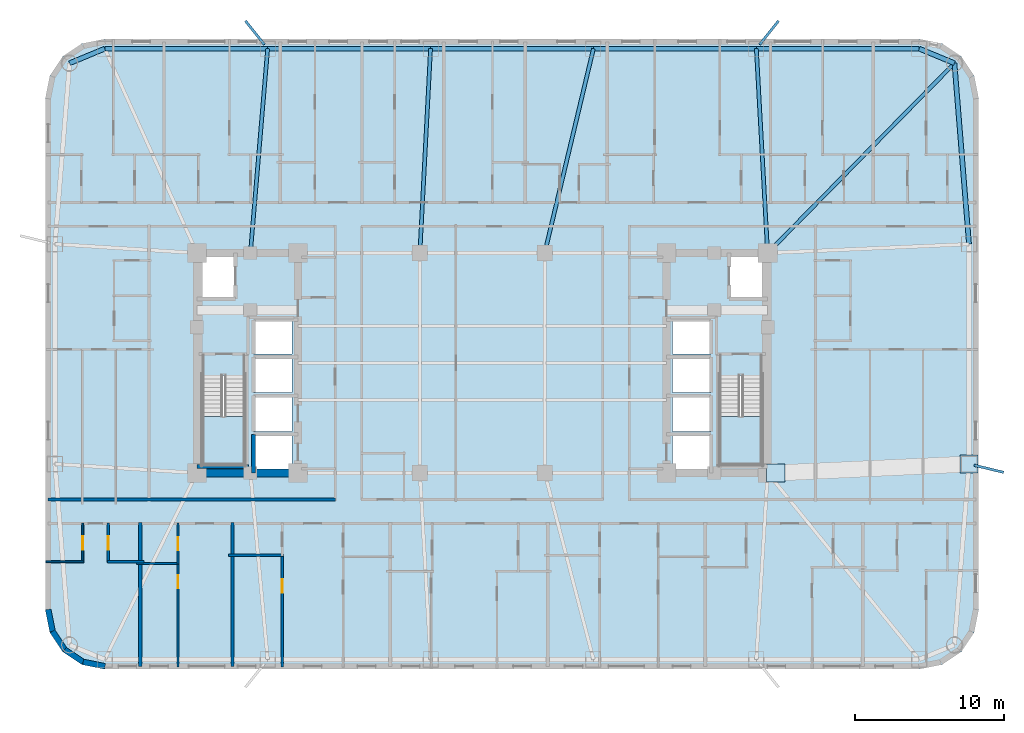
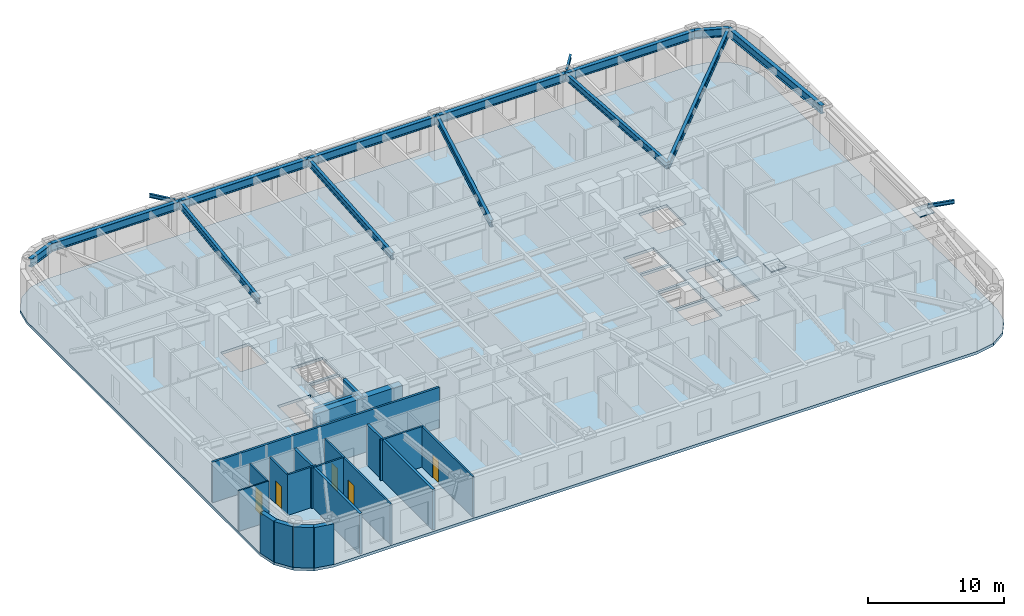
# One storey, part 2 of 12: 19 walls, 16 beams, 5 doors, 3 slabs, 2 plates, 5 openings, 2 elements without a shape of their own.
"""IFC4 building model written with IfcOpenShell, lengths in metres."""

from ifc_helpers import new_model, si_unit, direction, frame, frame_2d, origin, origin_2d, place, context, subcontext, project, spatial, polyline, rectangle, i_section, outline, extrude, material, layer, layer_set, material_profile, profile_set, type_object, element, fill, aggregate, save


model = new_model("IFC4")

# Units and contexts
model_context = context("Model", 3, precision=1e-05, world=origin(), true_north=direction((0.0, 1.0)))
body_context = subcontext(model_context, "Body", "Model", "MODEL_VIEW")
ifc_project = project(units=[si_unit("LENGTHUNIT", "METRE"), si_unit("AREAUNIT", "SQUARE_METRE"), si_unit("VOLUMEUNIT", "CUBIC_METRE"), si_unit("PLANEANGLEUNIT", "RADIAN"), si_unit("MASSUNIT", "GRAM", prefix="KILO")], contexts=[model_context])

# Site, building, storey
site_placement = place(None, origin())
site = spatial("IfcSite", under=ifc_project, at=site_placement, CompositionType="ELEMENT")
building_placement = place(site_placement, origin())
building = spatial("IfcBuilding", under=site, at=building_placement, Name="Voryun Gate Residences", CompositionType="ELEMENT")
storey_placement = place(building_placement, frame((0.0, 0.0, 109.199951171875)))
storey = spatial("IfcBuildingStorey", under=building, at=storey_placement, Name="L26", CompositionType="ELEMENT", Elevation=109.199951171875)

# Beams
ifc_material_1 = material(Name="Steel SM355", Category="steel")
ifc_material_profile_1 = material_profile(ifc_material_1, i_section(OverallWidth=0.169921875, OverallDepth=0.340087890625, WebThickness=0.008056640625, FlangeThickness=0.013916015625, FilletRadius=0.01806640625, at=origin_2d()), Name="H-340x170x8x14")
ifc_profile_set_1 = profile_set([ifc_material_profile_1], Name="Steel SM355")
beam_type_1 = type_object("IfcBeamType", Name="BM_BALC_EDGE", PredefinedType="JOIST", material=ifc_profile_set_1)
for number, where, z_axis, x_axis, name in (
    (1, (33.09033203125, -6.8798828125, 3.47998046875), (0.972261764364, -0.233895407302, 0.0), (0.233895407302, 0.972261764364, 0.0), "BM-L26-BALBRK-E1"),
    (2, (18.65869140625, 21.42333984375, 3.47998046875), (0.624651475366, 0.7809036652, 0.0), (-0.7809036652, 0.624651475366, 0.0), "BM-L26-BALBRK-N2"),
    (3, (-14.65869140625, 21.42333984375, 3.47998046875), (-0.624651475366, 0.7809036652, 0.0), (-0.7809036652, -0.624651475366, 0.0), "BM-L26-BALBRK-N5"),
):
    element("IfcBeam", number, at=place(storey_placement, frame(where, z_axis=z_axis, x_axis=x_axis)), inside=storey, type_object=beam_type_1, Name=name, PredefinedType="JOIST", context=body_context, shape_type="SweptSolid", body=[
        extrude(i_section(OverallWidth=0.169921875, OverallDepth=0.340087890625, WebThickness=0.008056640625, FlangeThickness=0.013916015625, FilletRadius=0.01806640625, at=origin_2d()), origin(), (0.0, 0.0, 1.0), 2.050048828125),
    ])
ifc_material_2 = material(Name="Steel SM355", Category="steel")
ifc_material_profile_2 = material_profile(ifc_material_2, i_section(OverallWidth=0.320068359375, OverallDepth=0.75, WebThickness=0.01611328125, FlangeThickness=0.028076171875, FilletRadius=0.01806640625, at=origin_2d()), Name="H-750x320x16x28")
ifc_profile_set_2 = profile_set([ifc_material_profile_2], Name="Steel SM355")
beam_type_2 = type_object("IfcBeamType", Name="BM_EXO_SPANDREL_L", PredefinedType="SPANDREL", material=ifc_profile_set_2)
beam_1_placement = place(storey_placement, frame((32.75, 7.998046875, 3.275146484375), z_axis=(-0.080359517973, 0.996765944378, 0.0), x_axis=(-0.996765944378, -0.080359517973, 0.0)))
element("IfcBeam", 4, at=beam_1_placement, inside=storey, type_object=beam_type_2, Name="BM-L26-SPAND-09", PredefinedType="SPANDREL", context=body_context, shape_type="SweptSolid", body=[
    extrude(i_section(OverallWidth=0.320068359375, OverallDepth=0.75, WebThickness=0.01611328125, FlangeThickness=0.028076171875, FilletRadius=0.01806640625, at=origin_2d()), origin(), (0.0, 0.0, 1.0), 12.210205078125),
])
beam_2_placement = place(storey_placement, frame((31.768798828125, 20.168701171875, 3.275146484375), z_axis=(-0.923883376753, 0.382674151414, 0.0), x_axis=(-0.382674151414, -0.923883376753, 0.0)))
element("IfcBeam", 5, at=beam_2_placement, inside=storey, type_object=beam_type_2, Name="BM-L26-SPAND-10", PredefinedType="SPANDREL", context=body_context, shape_type="SweptSolid", body=[
    extrude(i_section(OverallWidth=0.320068359375, OverallDepth=0.75, WebThickness=0.01611328125, FlangeThickness=0.028076171875, FilletRadius=0.01806640625, at=origin_2d()), origin(), (0.0, 0.0, 1.0), 2.56396484375),
])
for number, where, z_axis, x_axis, name in (
    (6, (29.39990234375, 21.14990234375, 3.275146484375), (-1.0, 0.0, 0.0), (0.0, -1.0, 0.0), "BM-L26-SPAND-11"),
    (7, (18.43994140625, 21.14990234375, 3.275146484375), (-1.0, 0.0, 0.0), (0.0, -1.0, 0.0), "BM-L26-SPAND-12"),
    (8, (7.47998046875, 21.14990234375, 3.275146484375), (-1.0, 0.0, 0.0), (0.0, -1.0, 0.0), "BM-L26-SPAND-13"),
    (9, (-3.47998046875, 21.14990234375, 3.275146484375), (-1.0, 0.0, 0.0), (0.0, -1.0, 0.0), "BM-L26-SPAND-14"),
    (10, (-14.43994140625, 21.14990234375, 3.275146484375), (-1.0, 0.0, 0.0), (0.0, -1.0, 0.0), "BM-L26-SPAND-15"),
):
    element("IfcBeam", number, at=place(storey_placement, frame(where, z_axis=z_axis, x_axis=x_axis)), inside=storey, type_object=beam_type_2, Name=name, PredefinedType="SPANDREL", context=body_context, shape_type="SweptSolid", body=[
        extrude(i_section(OverallWidth=0.320068359375, OverallDepth=0.75, WebThickness=0.01611328125, FlangeThickness=0.028076171875, FilletRadius=0.01806640625, at=origin_2d()), origin(), (0.0, 0.0, 1.0), 10.9599609375),
    ])
beam_3_placement = place(storey_placement, frame((-25.39990234375, 21.14990234375, 3.275146484375), z_axis=(-0.923883376753, -0.382674151414, 0.0), x_axis=(0.382674151414, -0.923883376753, 0.0)))
element("IfcBeam", 11, at=beam_3_placement, inside=storey, type_object=beam_type_2, Name="BM-L26-SPAND-16", PredefinedType="SPANDREL", context=body_context, shape_type="SweptSolid", body=[
    extrude(i_section(OverallWidth=0.320068359375, OverallDepth=0.75, WebThickness=0.01611328125, FlangeThickness=0.028076171875, FilletRadius=0.01806640625, at=origin_2d()), origin(), (0.0, 0.0, 1.0), 2.56396484375),
])
ifc_material_3 = material(Name="Steel SM355", Category="steel")
ifc_material_profile_3 = material_profile(ifc_material_3, i_section(OverallWidth=0.25, OverallDepth=0.60009765625, WebThickness=0.011962890625, FlangeThickness=0.02197265625, FilletRadius=0.01806640625, at=origin_2d()), Name="H-600x250x12x22")
ifc_profile_set_3 = profile_set([ifc_material_profile_3], Name="Steel SM355")
beam_type_3 = type_object("IfcBeamType", Name="BM_GIRD_600", PredefinedType="USERDEFINED", material=ifc_profile_set_3)
beam_4_placement = place(storey_placement, frame((19.199951171875, 7.39990234375, 3.35009765625), z_axis=(0.701504829324, 0.712664699866, 0.0), x_axis=(-0.712664699866, 0.701504829324, 0.0)))
element("IfcBeam", 12, at=beam_4_placement, inside=storey, type_object=beam_type_3, Name="BM-L26-RAD-CNE", ObjectType="GIRDER", PredefinedType="USERDEFINED", context=body_context, shape_type="SweptSolid", body=[
    extrude(i_section(OverallWidth=0.25, OverallDepth=0.60009765625, WebThickness=0.011962890625, FlangeThickness=0.02197265625, FilletRadius=0.01806640625, at=origin_2d()), origin(), (0.0, 0.0, 1.0), 17.9169921875),
])
beam_5_placement = place(storey_placement, frame((19.199951171875, 7.39990234375, 3.35009765625), z_axis=(-0.055189196078, 0.9984759149, 0.0), x_axis=(-0.9984759149, -0.055189196078, 0.0)))
element("IfcBeam", 13, at=beam_5_placement, inside=storey, type_object=beam_type_3, Name="BM-L26-RAD-N2", ObjectType="GIRDER", PredefinedType="USERDEFINED", context=body_context, shape_type="SweptSolid", body=[
    extrude(i_section(OverallWidth=0.25, OverallDepth=0.60009765625, WebThickness=0.011962890625, FlangeThickness=0.02197265625, FilletRadius=0.01806640625, at=origin_2d()), origin(), (0.0, 0.0, 1.0), 13.77099609375),
])
beam_6_placement = place(storey_placement, frame((4.199951171875, 7.39990234375, 3.35009765625), z_axis=(0.232036902087, 0.972706983665, 0.0), x_axis=(-0.972706983665, 0.232036902087, 0.0)))
element("IfcBeam", 14, at=beam_6_placement, inside=storey, type_object=beam_type_3, Name="BM-L26-RAD-N3", ObjectType="GIRDER", PredefinedType="USERDEFINED", context=body_context, shape_type="SweptSolid", body=[
    extrude(i_section(OverallWidth=0.25, OverallDepth=0.60009765625, WebThickness=0.011962890625, FlangeThickness=0.02197265625, FilletRadius=0.01806640625, at=origin_2d()), origin(), (0.0, 0.0, 1.0), 14.1357421875),
])
beam_7_placement = place(storey_placement, frame((-4.199951171875, 7.39990234375, 3.35009765625), z_axis=(0.052289872463, 0.998631948837, 0.0), x_axis=(-0.998631948837, 0.052289872463, 0.0)))
element("IfcBeam", 15, at=beam_7_placement, inside=storey, type_object=beam_type_3, Name="BM-L26-RAD-N4", ObjectType="GIRDER", PredefinedType="USERDEFINED", context=body_context, shape_type="SweptSolid", body=[
    extrude(i_section(OverallWidth=0.25, OverallDepth=0.60009765625, WebThickness=0.011962890625, FlangeThickness=0.02197265625, FilletRadius=0.01806640625, at=origin_2d()), origin(), (0.0, 0.0, 1.0), 13.768798828125),
])
beam_8_placement = place(storey_placement, frame((-15.60009765625, 7.39990234375, 3.35009765625), z_axis=(0.084076255415, 0.996459323442, 0.0), x_axis=(-0.996459323442, 0.084076255415, 0.0)))
element("IfcBeam", 16, at=beam_8_placement, inside=storey, type_object=beam_type_3, Name="BM-L26-RAD-N5", ObjectType="GIRDER", PredefinedType="USERDEFINED", context=body_context, shape_type="SweptSolid", body=[
    extrude(i_section(OverallWidth=0.25, OverallDepth=0.60009765625, WebThickness=0.011962890625, FlangeThickness=0.02197265625, FilletRadius=0.01806640625, at=origin_2d()), origin(), (0.0, 0.0, 1.0), 13.798828125),
])

# Plates
ifc_material_4 = material(Name="Steel SM355", Category="steel")
ifc_layer_1 = layer(ifc_material_4, 0.02490234375, Name="PLT_END_CAP_25")
ifc_layer_set_1 = layer_set([ifc_layer_1], Name="Steel SM355")
plate_type = type_object("IfcPlateType", Name="PLT_END_CAP_25", PredefinedType="USERDEFINED", material=ifc_layer_set_1)
for number, where, z_axis, x_axis, name in (
    (17, (19.75, -7.39990234375, 3.06005859375), (0.0, 0.0, 1.0), (1.0, 0.0, 0.0), "L26 Hollow Member End-Cap Plate EC-378"),
    (18, (32.75, -6.798095703125, 3.06005859375), (0.0, 0.0, 1.0), (1.0, 0.0, 0.0), "L26 Hollow Member End-Cap Plate EC-379"),
):
    element("IfcPlate", number, at=place(storey_placement, frame(where, z_axis=z_axis, x_axis=x_axis)), inside=storey, type_object=plate_type, Name=name, ObjectType="BASE_PLATE", PredefinedType="USERDEFINED", context=body_context, shape_type="SweptSolid", body=[
        extrude(rectangle(XDim=1.239990234375, YDim=1.239990234375, at=origin_2d()), origin(), (0.0, 0.0, 1.0), 0.080078125),
    ])

# Slab
ifc_material_5 = material(Name="Concrete C40/50", Category="concrete")
ifc_layer_2 = layer(ifc_material_5, 0.25, Name="SLB_RES_250")
ifc_layer_set_2 = layer_set([ifc_layer_2], Name="Concrete C40/50")
slab_type_1 = type_object("IfcSlabType", Name="SLB_RES_250", PredefinedType="FLOOR", material=ifc_layer_set_2)
slab_1_placement = place(storey_placement, frame((0.0, 0.0, -0.25)))
element("IfcSlab", 19, at=slab_1_placement, inside=storey, type_object=slab_type_1, Name="L26 Structural Floor Slab", PredefinedType="FLOOR", context=body_context, shape_type="SweptSolid", body=[
    extrude(outline(polyline([(-25.39990234375, -20.60009765625), (-26.9306640625, -20.29541015625), (-28.228515625, -19.428466796875), (-29.095458984375, -18.130615234375), (-29.39990234375, -16.60009765625), (-29.39990234375, 17.800048828125), (-29.095458984375, 19.330810546875), (-28.228515625, 20.62841796875), (-26.9306640625, 21.49560546875), (-25.39990234375, 21.800048828125), (29.39990234375, 21.800048828125), (30.9306640625, 21.49560546875), (32.228515625, 20.62841796875), (33.095458984375, 19.330810546875), (33.39990234375, 17.800048828125), (33.39990234375, -16.60009765625), (33.095458984375, -18.130615234375), (32.228515625, -19.428466796875), (30.9306640625, -20.29541015625), (29.39990234375, -20.60009765625), (-25.39990234375, -20.60009765625)]), holes=[polyline([(-12.800048828125, -4.800048828125), (-15.39990234375, -4.800048828125), (-15.39990234375, -7.199951171875), (-12.800048828125, -7.199951171875), (-12.800048828125, -4.800048828125)]), polyline([(-18.824951171875, -6.85009765625), (-15.97509765625, -6.85009765625), (-15.97509765625, -0.840087890625), (-18.824951171875, -0.840087890625), (-18.824951171875, -6.85009765625)]), polyline([(-12.800048828125, -4.60009765625), (-12.800048828125, -2.199951171875), (-15.39990234375, -2.199951171875), (-15.39990234375, -4.60009765625), (-12.800048828125, -4.60009765625)]), polyline([(-12.800048828125, 0.39990234375), (-15.39990234375, 0.39990234375), (-15.39990234375, -2.0), (-12.800048828125, -2.0), (-12.800048828125, 0.39990234375)]), polyline([(-12.800048828125, 0.60009765625), (-12.800048828125, 2.89990234375), (-15.39990234375, 2.89990234375), (-15.39990234375, 0.60009765625), (-12.800048828125, 0.60009765625)]), polyline([(-16.60009765625, 4.300048828125), (-16.60009765625, 7.199951171875), (-19.0, 7.199951171875), (-19.0, 4.300048828125), (-16.60009765625, 4.300048828125)]), polyline([(15.39990234375, -4.800048828125), (12.800048828125, -4.800048828125), (12.800048828125, -7.199951171875), (15.39990234375, -7.199951171875), (15.39990234375, -4.800048828125)]), polyline([(15.97509765625, -6.85009765625), (18.824951171875, -6.85009765625), (18.824951171875, -0.840087890625), (15.97509765625, -0.840087890625), (15.97509765625, -6.85009765625)]), polyline([(15.39990234375, -4.60009765625), (15.39990234375, -2.199951171875), (12.800048828125, -2.199951171875), (12.800048828125, -4.60009765625), (15.39990234375, -4.60009765625)]), polyline([(15.39990234375, 0.39990234375), (12.800048828125, 0.39990234375), (12.800048828125, -2.0), (15.39990234375, -2.0), (15.39990234375, 0.39990234375)]), polyline([(15.39990234375, 0.60009765625), (15.39990234375, 2.89990234375), (12.800048828125, 2.89990234375), (12.800048828125, 0.60009765625), (15.39990234375, 0.60009765625)]), polyline([(19.0, 4.300048828125), (19.0, 7.199951171875), (16.60009765625, 7.199951171875), (16.60009765625, 4.300048828125), (19.0, 4.300048828125)])]), origin(), (0.0, 0.0, 1.0), 0.25),
])

# Stair, slab
ifc_material_6 = material(Name="Concrete C40/50", Category="concrete")
stair_type = type_object("IfcStairType", Name="STR_CORE_DOGLEG_1350", PredefinedType="HALF_TURN_STAIR", material=ifc_material_6)
stair_1_placement = place(storey_placement, origin())
stair_1 = element("IfcStair", 20, at=stair_1_placement, inside=storey, type_object=stair_type, Name="L26 Special Escape Stair ST-W1", PredefinedType="HALF_TURN_STAIR")
ifc_material_7 = material(Name="Concrete C40/50", Category="concrete")
ifc_layer_3 = layer(ifc_material_7, 0.199951171875, Name="SLB_STAIR_LANDING_200")
ifc_layer_set_3 = layer_set([ifc_layer_3], Name="Concrete C40/50")
slab_type_2 = type_object("IfcSlabType", Name="SLB_STAIR_LANDING_200", PredefinedType="LANDING", material=ifc_layer_set_3)
slab_2_placement = place(storey_placement, frame((0.0, 0.0, 1.75)))
slab_2 = element("IfcSlab", 21, at=slab_2_placement, type_object=slab_type_2, Name="ST-W1 landing 1", PredefinedType="LANDING", context=body_context, shape_type="SweptSolid", body=[
    extrude(outline(polyline([(-18.824951171875, -3.60009765625), (-18.824951171875, -6.85009765625), (-15.97509765625, -6.85009765625), (-15.97509765625, -3.60009765625), (-18.824951171875, -3.60009765625)])), origin(), (0.0, 0.0, 1.0), 0.199951171875),
])
aggregate(stair_1, [slab_2])

stair_2_placement = place(storey_placement, origin())
stair_2 = element("IfcStair", 22, at=stair_2_placement, inside=storey, type_object=stair_type, Name="L26 Special Escape Stair ST-E1", PredefinedType="HALF_TURN_STAIR")
slab_3_placement = place(storey_placement, frame((0.0, 0.0, 1.75)))
slab_3 = element("IfcSlab", 23, at=slab_3_placement, type_object=slab_type_2, Name="ST-E1 landing 1", PredefinedType="LANDING", context=body_context, shape_type="SweptSolid", body=[
    extrude(outline(polyline([(15.97509765625, -3.60009765625), (15.97509765625, -6.85009765625), (18.824951171875, -6.85009765625), (18.824951171875, -3.60009765625), (15.97509765625, -3.60009765625)])), origin(), (0.0, 0.0, 1.0), 0.199951171875),
])
aggregate(stair_2, [slab_3])

# Walls
ifc_material_8 = material(Name="Concrete C60/75", Category="concrete")
ifc_layer_4 = layer(ifc_material_8, 0.550048828125, Name="CW_CORE_550")
ifc_layer_set_4 = layer_set([ifc_layer_4], Name="Concrete C60/75")
wall_type_1 = type_object("IfcWallType", Name="CW_CORE_550", PredefinedType="SHEAR", material=ifc_layer_set_4)
wall_1_placement = place(storey_placement, frame((-19.47509765625, -7.39990234375, 0.0), z_axis=(0.0, 0.0, 1.0), x_axis=(1.0, 0.0, 0.0)))
element("IfcWall", 24, at=wall_1_placement, inside=storey, type_object=wall_type_1, Name="L26 Core shear wall CW-L26-WS", PredefinedType="SHEAR", context=body_context, shape_type="SweptSolid", body=[
    extrude(rectangle(XDim=7.35009765625, YDim=0.550048828125, at=frame_2d((3.675048828125, 0.0))), origin(), (0.0, 0.0, 1.0), 3.650146484375),
])
ifc_material_9 = material(Name="Gypsum acoustic fireboard")
ifc_layer_5 = layer(ifc_material_9, 0.179931640625, Name="W_CORR_RATED_180")
ifc_layer_set_5 = layer_set([ifc_layer_5], Name="Gypsum acoustic fireboard")
wall_type_2 = type_object("IfcWallType", Name="W_CORR_RATED_180", PredefinedType="PARTITIONING", material=ifc_layer_set_5)
wall_2_placement = place(storey_placement, frame((-29.2099609375, -9.18994140625, 0.0), z_axis=(0.0, 0.0, 1.0), x_axis=(1.0, 0.0, 0.0)))
element("IfcWall", 25, at=wall_2_placement, inside=storey, type_object=wall_type_2, Name="Partition wall WP-L26-CWING-WS", PredefinedType="PARTITIONING", context=body_context, shape_type="SweptSolid", body=[
    extrude(rectangle(XDim=19.330078125, YDim=0.179931640625, at=frame_2d((9.6650390625, 0.0))), origin(), (0.0, 0.0, 1.0), 3.650146484375),
])
ifc_material_10 = material(Name="Granite masonry", Category="masonry")
ifc_layer_6 = layer(ifc_material_10, 0.3798828125, Name="W_EXT_GRANITE_380")
ifc_layer_set_6 = layer_set([ifc_layer_6], Name="Granite masonry")
wall_type_3 = type_object("IfcWallType", Name="W_EXT_GRANITE_380", PredefinedType="ELEMENTEDWALL", material=ifc_layer_set_6)
wall_3_placement = place(storey_placement, frame((-25.38134765625, -20.409912109375, 0.0), z_axis=(0.0, 0.0, 1.0), x_axis=(-0.980786132421, 0.195086038585, 0.0)))
element("IfcWall", 26, at=wall_3_placement, inside=storey, type_object=wall_type_3, Name="Exterior wall WEXT-L26-02", PredefinedType="ELEMENTEDWALL", context=body_context, shape_type="SweptSolid", body=[
    extrude(rectangle(XDim=1.504150390625, YDim=0.3798828125, at=frame_2d((0.751953125, 0.0))), origin(), (0.0, 0.0, 1.0), 3.650146484375),
])
wall_4_placement = place(storey_placement, frame((-26.856689453125, -20.116455078125, 0.0), z_axis=(0.0, 0.0, 1.0), x_axis=(-0.831468045563, 0.555572577804, 0.0)))
element("IfcWall", 27, at=wall_4_placement, inside=storey, type_object=wall_type_3, Name="Exterior wall WEXT-L26-03", PredefinedType="ELEMENTEDWALL", context=body_context, shape_type="SweptSolid", body=[
    extrude(rectangle(XDim=1.48486328125, YDim=0.3798828125, at=frame_2d((0.742431640625, 0.0))), origin(), (0.0, 0.0, 1.0), 3.650146484375),
])
wall_5_placement = place(storey_placement, frame((-28.09130859375, -19.29150390625, 0.0), z_axis=(0.0, 0.0, 1.0), x_axis=(-0.555610286119, 0.831442848281, 0.0)))
element("IfcWall", 28, at=wall_5_placement, inside=storey, type_object=wall_type_3, Name="Exterior wall WEXT-L26-04", PredefinedType="ELEMENTEDWALL", context=body_context, shape_type="SweptSolid", body=[
    extrude(rectangle(XDim=1.485107421875, YDim=0.3798828125, at=frame_2d((0.74267578125, 0.0))), origin(), (0.0, 0.0, 1.0), 3.650146484375),
])
wall_6_placement = place(storey_placement, frame((-28.91650390625, -18.056640625, 0.0), z_axis=(0.0, 0.0, 1.0), x_axis=(-0.195086038585, 0.980786132421, 0.0)))
element("IfcWall", 29, at=wall_6_placement, inside=storey, type_object=wall_type_3, Name="Exterior wall WEXT-L26-05", PredefinedType="ELEMENTEDWALL", context=body_context, shape_type="SweptSolid", body=[
    extrude(rectangle(XDim=1.504150390625, YDim=0.3798828125, at=frame_2d((0.751953125, 0.0))), origin(), (0.0, 0.0, 1.0), 3.650146484375),
])
ifc_material_11 = material(Name="Concrete C40/50", Category="concrete")
ifc_layer_7 = layer(ifc_material_11, 0.219970703125, Name="W_PARTY_ACOUSTIC_220")
ifc_layer_set_7 = layer_set([ifc_layer_7], Name="Concrete C40/50")
wall_type_4 = type_object("IfcWallType", Name="W_PARTY_ACOUSTIC_220", PredefinedType="PARTITIONING", material=ifc_layer_set_7)
for number, where, z_axis, x_axis, name in (
    (30, (-23.009033203125, -20.409912109375, 0.0), (0.0, 0.0, 1.0), (0.0, 1.0, 0.0), "Partition wall WP-L26-SPTY-1"),
    (31, (-16.800048828125, -20.409912109375, 0.0), (0.0, 0.0, 1.0), (0.0, 1.0, 0.0), "Partition wall WP-L26-SPTY-2"),
):
    element("IfcWall", number, at=place(storey_placement, frame(where, z_axis=z_axis, x_axis=x_axis)), inside=storey, type_object=wall_type_4, Name=name, PredefinedType="PARTITIONING", context=body_context, shape_type="SweptSolid", body=[
        extrude(rectangle(XDim=9.68994140625, YDim=0.219970703125, at=frame_2d((4.844970703125, 0.0))), origin(), (0.0, 0.0, 1.0), 3.650146484375),
    ])
ifc_material_12 = material(Name="Concrete C50/60", Category="concrete")
ifc_layer_8 = layer(ifc_material_12, 0.25, Name="W_SHAFT_RC250")
ifc_layer_set_8 = layer_set([ifc_layer_8], Name="Concrete C50/60")
wall_type_5 = type_object("IfcWallType", Name="W_SHAFT_RC250", PredefinedType="SOLIDWALL", material=ifc_layer_set_8)
wall_7_placement = place(storey_placement, frame((-19.199951171875, -6.965087890625, 0.0), z_axis=(0.0, 0.0, 1.0), x_axis=(1.0, 0.0, 0.0)))
element("IfcWall", 32, at=wall_7_placement, inside=storey, type_object=wall_type_5, Name="L26 Stair shaft structural wall W-STS", PredefinedType="SOLIDWALL", context=body_context, shape_type="SweptSolid", body=[
    extrude(rectangle(XDim=3.4599609375, YDim=0.25, at=frame_2d((1.72998046875, 0.0))), origin(), (0.0, 0.0, 1.0), 3.650146484375),
])
wall_8_placement = place(storey_placement, frame((-15.39990234375, -4.800048828125, 0.0), z_axis=(0.0, 0.0, 1.0), x_axis=(0.0, -1.0, 0.0)))
element("IfcWall", 33, at=wall_8_placement, inside=storey, type_object=wall_type_5, Name="Lift shaft wall WSH-L26-EL-P1-W", PredefinedType="SOLIDWALL", context=body_context, shape_type="SweptSolid", body=[
    extrude(rectangle(XDim=2.599853515625, YDim=0.25, at=frame_2d((1.2998046875, 0.0))), origin(), (0.0, 0.0, 1.0), 3.650146484375),
])

# Wall, opening, door
ifc_material_13 = material(Name="Gypsum acoustic partition")
ifc_layer_9 = layer(ifc_material_13, 0.125, Name="W_UNIT_PART_125")
ifc_layer_set_9 = layer_set([ifc_layer_9], Name="Gypsum acoustic partition")
wall_type_6 = type_object("IfcWallType", Name="W_UNIT_PART_125", PredefinedType="PARTITIONING", material=ifc_layer_set_9)
wall_9_placement = place(storey_placement, frame((-26.881103515625, -13.429931640625, 0.0), z_axis=(0.0, 0.0, 1.0), x_axis=(0.0, 1.0, 0.0)))
wall_9 = element("IfcWall", 34, at=wall_9_placement, inside=storey, type_object=wall_type_6, Name="Partition wall WP-L26-S1-CVK", PredefinedType="PARTITIONING", context=body_context, shape_type="SweptSolid", body=[
    extrude(rectangle(XDim=2.64990234375, YDim=0.125, at=frame_2d((1.324951171875, 0.0))), origin(), (0.0, 0.0, 1.0), 3.650146484375),
])
opening_1_placement = place(wall_9_placement, frame((0.875, 0.0, 0.0)))
opening_1 = element("IfcOpeningElement", 35, at=opening_1_placement, cuts=wall_9, Name="Opening D-INT-2", PredefinedType="OPENING", context=body_context, shape_type="SweptSolid", body=[
    extrude(rectangle(XDim=0.89990234375, YDim=2.050048828125, at=frame_2d((0.449951171875, 1.02490234375))), frame((0.0, 0.072509765625, 0.0), z_axis=(0.0, -1.0, 0.0), x_axis=(1.0, 0.0, 0.0)), (0.0, 0.0, 1.0), 0.14501953125),
])
ifc_material_14 = material(Name="Architectural oak veneer")
door_type = type_object("IfcDoorType", Name="DR_INT_BATH_900", OperationType="NOTDEFINED", PredefinedType="DOOR", material=ifc_material_14)
door_1_placement = place(opening_1_placement, origin())
door_1 = element("IfcDoor", 36, at=door_1_placement, inside=storey, type_object=door_type, Name="Door DR-L26-S1-DK", OperationType="SINGLE_SWING_LEFT", OverallHeight=2.050048828125, OverallWidth=0.89990234375, PredefinedType="DOOR", context=body_context, shape_type="SweptSolid", body=[
    extrude(rectangle(XDim=0.89990234375, YDim=2.050048828125, at=frame_2d((0.449951171875, 1.02490234375))), frame((0.0, 0.02490234375, 0.0), z_axis=(0.0, -1.0, 0.0), x_axis=(1.0, 0.0, 0.0)), (0.0, 0.0, 1.0), 0.050048828125),
])
fill(opening_1, door_1)

# Wall
wall_10_placement = place(storey_placement, frame((-29.360107421875, -13.3701171875, 0.0), z_axis=(0.0, 0.0, 1.0), x_axis=(1.0, 0.0, 0.0)))
element("IfcWall", 37, at=wall_10_placement, inside=storey, type_object=wall_type_6, Name="Partition wall WP-L26-S1-CHK", PredefinedType="PARTITIONING", context=body_context, shape_type="SweptSolid", body=[
    extrude(rectangle(XDim=2.5390625, YDim=0.125, at=frame_2d((1.26953125, 0.0))), origin(), (0.0, 0.0, 1.0), 3.650146484375),
])

# Wall, opening, door
ifc_material_15 = material(Name="Gypsum moisture-resistant partition")
ifc_layer_10 = layer(ifc_material_15, 0.14990234375, Name="W_WET_PLUMB_150")
ifc_layer_set_10 = layer_set([ifc_layer_10], Name="Gypsum moisture-resistant partition")
wall_type_7 = type_object("IfcWallType", Name="W_WET_PLUMB_150", PredefinedType="PLUMBINGWALL", material=ifc_layer_set_10)
wall_11_placement = place(storey_placement, frame((-25.159912109375, -13.429931640625, 0.0), z_axis=(0.0, 0.0, 1.0), x_axis=(0.0, 1.0, 0.0)))
wall_11 = element("IfcWall", 38, at=wall_11_placement, inside=storey, type_object=wall_type_7, Name="Partition wall WP-L26-S1-CVB", PredefinedType="PLUMBINGWALL", context=body_context, shape_type="SweptSolid", body=[
    extrude(rectangle(XDim=2.64990234375, YDim=0.14990234375, at=frame_2d((1.324951171875, 0.0))), origin(), (0.0, 0.0, 1.0), 3.650146484375),
])
opening_2_placement = place(wall_11_placement, frame((0.875, 0.0, 0.0)))
opening_2 = element("IfcOpeningElement", 39, at=opening_2_placement, cuts=wall_11, Name="Opening D-INT-2", PredefinedType="OPENING", context=body_context, shape_type="SweptSolid", body=[
    extrude(rectangle(XDim=0.89990234375, YDim=2.050048828125, at=frame_2d((0.449951171875, 1.02490234375))), frame((0.0, 0.0849609375, 0.0), z_axis=(0.0, -1.0, 0.0), x_axis=(1.0, 0.0, 0.0)), (0.0, 0.0, 1.0), 0.169921875),
])
door_2_placement = place(opening_2_placement, origin())
door_2 = element("IfcDoor", 40, at=door_2_placement, inside=storey, type_object=door_type, Name="Door DR-L26-S1-DB", OperationType="SINGLE_SWING_RIGHT", OverallHeight=2.050048828125, OverallWidth=0.89990234375, PredefinedType="DOOR", context=body_context, shape_type="SweptSolid", body=[
    extrude(rectangle(XDim=0.89990234375, YDim=2.050048828125, at=frame_2d((0.449951171875, 1.02490234375))), frame((0.0, 0.02490234375, 0.0), z_axis=(0.0, -1.0, 0.0), x_axis=(1.0, 0.0, 0.0)), (0.0, 0.0, 1.0), 0.050048828125),
])
fill(opening_2, door_2)

# Walls
wall_12_placement = place(storey_placement, frame((-25.219970703125, -13.3701171875, 0.0), z_axis=(0.0, 0.0, 1.0), x_axis=(1.0, 0.0, 0.0)))
element("IfcWall", 41, at=wall_12_placement, inside=storey, type_object=wall_type_7, Name="Partition wall WP-L26-S1-CHB", PredefinedType="PLUMBINGWALL", context=body_context, shape_type="SweptSolid", body=[
    extrude(rectangle(XDim=2.470947265625, YDim=0.14990234375, at=frame_2d((1.2353515625, 0.0))), origin(), (0.0, 0.0, 1.0), 3.650146484375),
])
wall_13_placement = place(storey_placement, frame((-23.26904296875, -13.5, 0.0), z_axis=(0.0, 0.0, 1.0), x_axis=(1.0, 0.0, 0.0)))
element("IfcWall", 42, at=wall_13_placement, inside=storey, type_object=wall_type_7, Name="Partition wall WP-L26-S2-SKB", PredefinedType="PLUMBINGWALL", context=body_context, shape_type="SweptSolid", body=[
    extrude(rectangle(XDim=2.8779296875, YDim=0.14990234375, at=frame_2d((1.43896484375, 0.0))), origin(), (0.0, 0.0, 1.0), 3.650146484375),
])

# Wall, opening, door
wall_14_placement = place(storey_placement, frame((-20.470947265625, -20.45751953125, 0.0), z_axis=(0.0, 0.0, 1.0), x_axis=(0.0, 1.0, 0.0)))
wall_14 = element("IfcWall", 43, at=wall_14_placement, inside=storey, type_object=wall_type_7, Name="Partition wall WP-L26-S2-SVT1", PredefinedType="PLUMBINGWALL", context=body_context, shape_type="SweptSolid", body=[
    extrude(rectangle(XDim=6.99755859375, YDim=0.14990234375, at=frame_2d((3.498779296875, 0.0))), origin(), (0.0, 0.0, 1.0), 3.650146484375),
])
opening_3_placement = place(wall_14_placement, frame((5.2880859375, 0.0, 0.0)))
opening_3 = element("IfcOpeningElement", 44, at=opening_3_placement, cuts=wall_14, Name="Opening D-INT-2", PredefinedType="OPENING", context=body_context, shape_type="SweptSolid", body=[
    extrude(rectangle(XDim=0.89990234375, YDim=2.050048828125, at=frame_2d((0.449951171875, 1.02490234375))), frame((0.0, 0.0849609375, 0.0), z_axis=(0.0, -1.0, 0.0), x_axis=(1.0, 0.0, 0.0)), (0.0, 0.0, 1.0), 0.169921875),
])
door_3_placement = place(opening_3_placement, origin())
door_3 = element("IfcDoor", 45, at=door_3_placement, inside=storey, type_object=door_type, Name="Door DR-L26-S2-DK", OperationType="SINGLE_SWING_LEFT", OverallHeight=2.050048828125, OverallWidth=0.89990234375, PredefinedType="DOOR", context=body_context, shape_type="SweptSolid", body=[
    extrude(rectangle(XDim=0.89990234375, YDim=2.050048828125, at=frame_2d((0.449951171875, 1.02490234375))), frame((0.0, 0.02490234375, 0.0), z_axis=(0.0, -1.0, 0.0), x_axis=(1.0, 0.0, 0.0)), (0.0, 0.0, 1.0), 0.050048828125),
])
fill(opening_3, door_3)

wall_15_placement = place(storey_placement, frame((-20.470947265625, -13.5400390625, 0.0), z_axis=(0.0, 0.0, 1.0), x_axis=(0.0, 1.0, 0.0)))
wall_15 = element("IfcWall", 46, at=wall_15_placement, inside=storey, type_object=wall_type_7, Name="Partition wall WP-L26-S2-SVT2", PredefinedType="PLUMBINGWALL", context=body_context, shape_type="SweptSolid", body=[
    extrude(rectangle(XDim=2.760009765625, YDim=0.14990234375, at=frame_2d((1.3798828125, 0.0))), origin(), (0.0, 0.0, 1.0), 3.650146484375),
])
opening_4_placement = place(wall_15_placement, frame((0.929931640625, 0.0, 0.0)))
opening_4 = element("IfcOpeningElement", 47, at=opening_4_placement, cuts=wall_15, Name="Opening D-INT-2", PredefinedType="OPENING", context=body_context, shape_type="SweptSolid", body=[
    extrude(rectangle(XDim=0.89990234375, YDim=2.050048828125, at=frame_2d((0.449951171875, 1.02490234375))), frame((0.0, 0.0849609375, 0.0), z_axis=(0.0, -1.0, 0.0), x_axis=(1.0, 0.0, 0.0)), (0.0, 0.0, 1.0), 0.169921875),
])
door_4_placement = place(opening_4_placement, origin())
door_4 = element("IfcDoor", 48, at=door_4_placement, inside=storey, type_object=door_type, Name="Door DR-L26-S2-DB", OperationType="SINGLE_SWING_RIGHT", OverallHeight=2.050048828125, OverallWidth=0.89990234375, PredefinedType="DOOR", context=body_context, shape_type="SweptSolid", body=[
    extrude(rectangle(XDim=0.89990234375, YDim=2.050048828125, at=frame_2d((0.449951171875, 1.02490234375))), frame((0.0, 0.02490234375, 0.0), z_axis=(0.0, -1.0, 0.0), x_axis=(1.0, 0.0, 0.0)), (0.0, 0.0, 1.0), 0.050048828125),
])
fill(opening_4, door_4)

# Wall
wall_16_placement = place(storey_placement, frame((-17.06005859375, -12.93994140625, 0.0), z_axis=(0.0, 0.0, 1.0), x_axis=(1.0, 0.0, 0.0)))
element("IfcWall", 49, at=wall_16_placement, inside=storey, type_object=wall_type_7, Name="Partition wall WP-L26-S3-LHY", PredefinedType="PLUMBINGWALL", context=body_context, shape_type="SweptSolid", body=[
    extrude(rectangle(XDim=3.68017578125, YDim=0.14990234375, at=frame_2d((1.840087890625, 0.0))), origin(), (0.0, 0.0, 1.0), 3.650146484375),
])

# Wall, opening, door
wall_17_placement = place(storey_placement, frame((-13.4599609375, -20.45751953125, 0.0), z_axis=(0.0, 0.0, 1.0), x_axis=(0.0, 1.0, 0.0)))
wall_17 = element("IfcWall", 50, at=wall_17_placement, inside=storey, type_object=wall_type_7, Name="Partition wall WP-L26-S3-LVX1", PredefinedType="PLUMBINGWALL", context=body_context, shape_type="SweptSolid", body=[
    extrude(rectangle(XDim=7.5576171875, YDim=0.14990234375, at=frame_2d((3.77880859375, 0.0))), origin(), (0.0, 0.0, 1.0), 3.650146484375),
])
opening_5_placement = place(wall_17_placement, frame((4.991455078125, 0.0, 0.0)))
opening_5 = element("IfcOpeningElement", 51, at=opening_5_placement, cuts=wall_17, Name="Opening D-INT-2", PredefinedType="OPENING", context=body_context, shape_type="SweptSolid", body=[
    extrude(rectangle(XDim=0.89990234375, YDim=2.050048828125, at=frame_2d((0.449951171875, 1.02490234375))), frame((0.0, 0.0849609375, 0.0), z_axis=(0.0, -1.0, 0.0), x_axis=(1.0, 0.0, 0.0)), (0.0, 0.0, 1.0), 0.169921875),
])
door_5_placement = place(opening_5_placement, origin())
door_5 = element("IfcDoor", 52, at=door_5_placement, inside=storey, type_object=door_type, Name="Door DR-L26-S3-DMB", OperationType="SINGLE_SWING_LEFT", OverallHeight=2.050048828125, OverallWidth=0.89990234375, PredefinedType="DOOR", context=body_context, shape_type="SweptSolid", body=[
    extrude(rectangle(XDim=0.89990234375, YDim=2.050048828125, at=frame_2d((0.449951171875, 1.02490234375))), frame((0.0, 0.02490234375, 0.0), z_axis=(0.0, -1.0, 0.0), x_axis=(1.0, 0.0, 0.0)), (0.0, 0.0, 1.0), 0.050048828125),
])
fill(opening_5, door_5)

save(model, "model.ifc")
